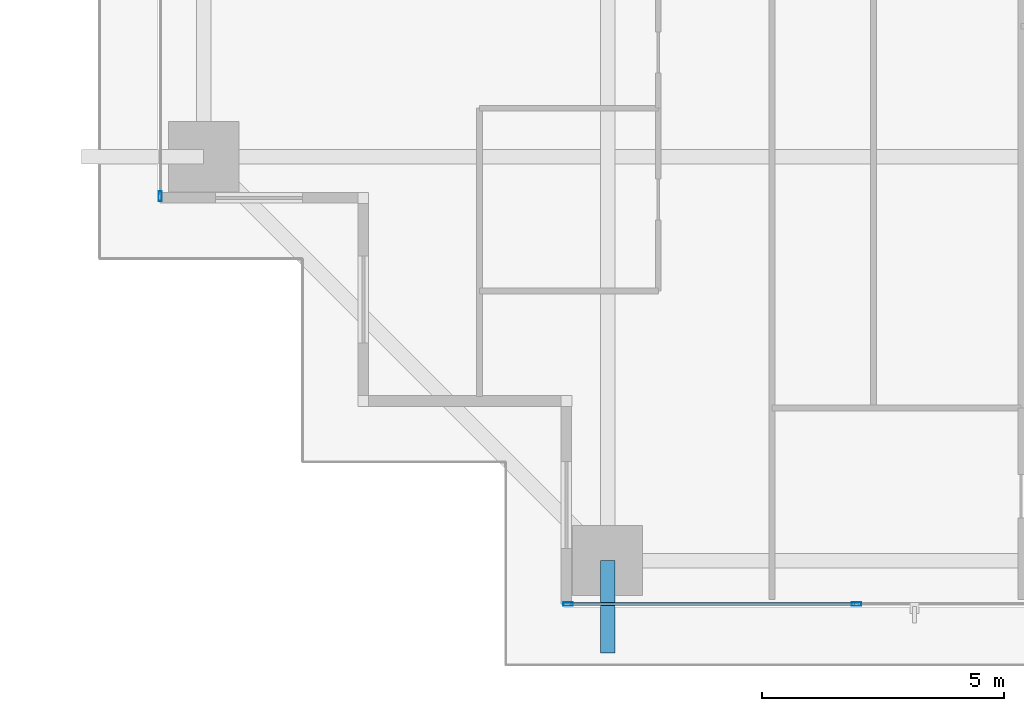
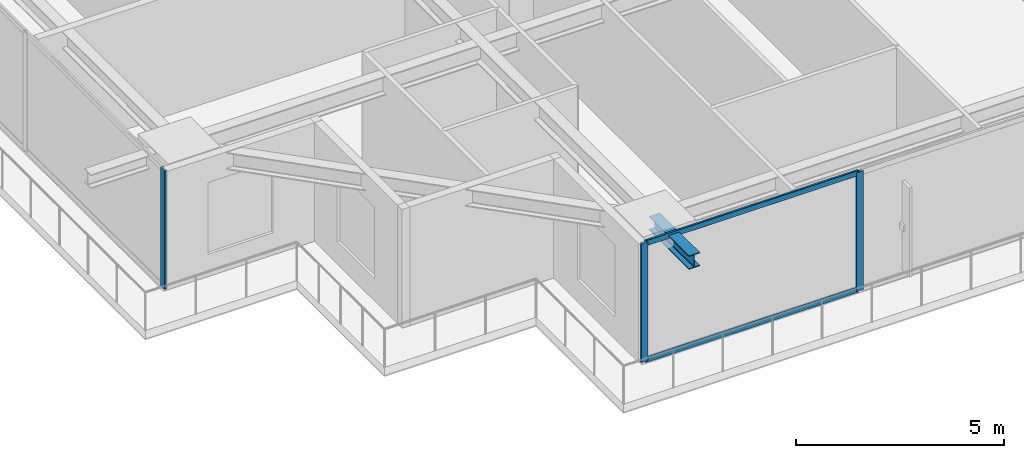
# One storey, part 2 of 39: 5 members, 1 beam, 2 elements without a shape of their own.
"""IFC4 building model written with IfcOpenShell, lengths in metres."""

import ifcopenshell
import ifcopenshell.guid

model = None  # the IFC model being written
_history = None  # IfcOwnerHistory: only IFC2X3 demands one
_inside = {}  # id of a spatial element -> (the spatial element, [elements in it])
_under = {}  # id of a project, library or spatial element -> (it, [spatial elements below it])
_declared = {}  # id of a project -> (the project, [libraries it declares])
_typed = {}  # id of a type object -> (the type object, [elements of that type])
_made_of = {}  # id of a material, layer set ... -> (it, [elements and type objects made of it])


def new_model(schema):
    """Start an empty IFC model of exactly this schema.

    Asked for "IFC4X3", IfcOpenShell would pick the latest addendum, in which some entities
    have other attributes; the version numbers below select the first issue.
    IFC2X3 requires an IfcOwnerHistory on every rooted entity: one is made here for all.
    """
    global model, _history
    if schema == "IFC4X3":
        model = ifcopenshell.file(schema_version=(4, 3, 0, 0))
    else:
        model = ifcopenshell.file(schema=schema)
    _inside.clear()
    _under.clear()
    _declared.clear()
    _typed.clear()
    _made_of.clear()
    _history = None
    if model.schema == "IFC2X3":
        org = make("IfcOrganization", Name="unknown")
        user = make(
            "IfcPersonAndOrganization",
            ThePerson=make("IfcPerson", FamilyName="unknown"),
            TheOrganization=org,
        )
        app = make(
            "IfcApplication",
            ApplicationDeveloper=org,
            Version="unknown",
            ApplicationFullName="unknown",
            ApplicationIdentifier="unknown",
        )
        _history = make(
            "IfcOwnerHistory",
            OwningUser=user,
            OwningApplication=app,
            ChangeAction="ADDED",
            CreationDate=0,
        )
    return model


def make(cls, **values):
    """One entity of the class cls with the attributes given. An attribute that is None is left unset."""
    return model.create_entity(
        cls, **{name: value for name, value in values.items() if value is not None}
    )


def rooted(cls, **values):
    """An entity with a GlobalId (a new one), such as an element, a storey or a relation."""
    return make(cls, GlobalId=ifcopenshell.guid.new(), OwnerHistory=_history, **values)


def si_unit(unit_type, name, prefix=None):
    """IfcSIUnit, for example si_unit("LENGTHUNIT", "METRE", prefix="MILLI")."""
    return make("IfcSIUnit", UnitType=unit_type, Prefix=prefix, Name=name)


def assignment(units):
    """IfcUnitAssignment: the units of a project."""
    return None if units is None else make("IfcUnitAssignment", Units=units)


def point(xyz):
    """IfcCartesianPoint."""
    return None if xyz is None else make("IfcCartesianPoint", Coordinates=xyz)


def direction(xyz):
    """IfcDirection."""
    return None if xyz is None else make("IfcDirection", DirectionRatios=xyz)


def frame(location, z_axis=None, x_axis=None):
    """IfcAxis2Placement3D, a coordinate frame: its origin and axes. An axis left out is left unset."""
    return make(
        "IfcAxis2Placement3D",
        Location=point(location),
        Axis=direction(z_axis),
        RefDirection=direction(x_axis),
    )


def frame_2d(location, x_axis=None):
    """IfcAxis2Placement2D, a coordinate frame in the plane: its origin and x axis."""
    return make(
        "IfcAxis2Placement2D", Location=point(location), RefDirection=direction(x_axis)
    )


def origin():
    """The frame at (0, 0, 0) with its axes left unset."""
    return frame((0.0, 0.0, 0.0))


def origin_2d():
    """The frame at (0, 0) in the plane with its x axis left unset."""
    return frame_2d((0.0, 0.0))


def place(relative_to, where):
    """IfcLocalPlacement: puts the frame where relative to a parent placement (None: the world)."""
    return make(
        "IfcLocalPlacement", PlacementRelTo=relative_to, RelativePlacement=where
    )


def context(
    kind, dimensions, precision=None, world=None, true_north=None, identifier=None
):
    """IfcGeometricRepresentationContext, for example the 3D "Model" context."""
    return make(
        "IfcGeometricRepresentationContext",
        ContextIdentifier=identifier,
        ContextType=kind,
        CoordinateSpaceDimension=dimensions,
        Precision=precision,
        WorldCoordinateSystem=world,
        TrueNorth=true_north,
    )


def subcontext(parent, identifier, kind, view, scale=None):
    """IfcGeometricRepresentationSubContext, for example "Body" below "Model"."""
    return make(
        "IfcGeometricRepresentationSubContext",
        ContextIdentifier=identifier,
        ContextType=kind,
        ParentContext=parent,
        TargetScale=scale,
        TargetView=view,
    )


def project(units=None, contexts=None):
    """IfcProject with its units and contexts."""
    return rooted(
        "IfcProject",
        Name="project",
        RepresentationContexts=contexts,
        UnitsInContext=assignment(units),
    )


def spatial(cls, under=None, at=None, **own):
    """A site, building, storey or space (cls), placed at a placement, below another one or the project."""
    s = rooted(cls, ObjectPlacement=at, **own)
    if under is not None:
        _under.setdefault(under.id(), (under, []))[1].append(s)
    return s


def profile(cls, at=None, kind="AREA", **sizes):
    """A parametric profile (cls). Its sizes go by their IFC names, for example OverallWidth=200.0."""
    return make(cls, ProfileType=kind, Position=at, **sizes)


def hollow_rectangle(**sizes):
    """IfcRectangleHollowProfileDef."""
    return profile("IfcRectangleHollowProfileDef", **sizes)


def i_section(**sizes):
    """IfcIShapeProfileDef."""
    return profile("IfcIShapeProfileDef", **sizes)


def extrude(swept, where, along, depth):
    """IfcExtrudedAreaSolid: the profile swept, set in the frame where, extruded along a direction by depth."""
    return make(
        "IfcExtrudedAreaSolid",
        SweptArea=swept,
        Position=where,
        ExtrudedDirection=direction(along),
        Depth=depth,
    )


def shape(context_of_items, identifier, shape_type, items):
    """IfcShapeRepresentation: the items that make up one representation, for example the "Body"."""
    return make(
        "IfcShapeRepresentation",
        ContextOfItems=context_of_items,
        RepresentationIdentifier=identifier,
        RepresentationType=shape_type,
        Items=items,
    )


def source(mapping_origin, context_of_items, identifier, shape_type, items):
    """IfcRepresentationMap: a shape defined once, which mapped items show again and again."""
    return make(
        "IfcRepresentationMap",
        MappingOrigin=mapping_origin,
        MappedRepresentation=shape(context_of_items, identifier, shape_type, items),
    )


def transform(
    local_origin,
    x_axis=None,
    y_axis=None,
    z_axis=None,
    scale=None,
    scale2=None,
    scale3=None,
    uniform=True,
):
    """IfcCartesianTransformationOperator3D, or its non-uniform kind. x_axis, y_axis, z_axis: its Axis1, 2, 3."""
    if uniform:
        return make(
            "IfcCartesianTransformationOperator3D",
            Axis1=direction(x_axis),
            Axis2=direction(y_axis),
            LocalOrigin=point(local_origin),
            Scale=scale,
            Axis3=direction(z_axis),
        )
    return make(
        "IfcCartesianTransformationOperator3DnonUniform",
        Axis1=direction(x_axis),
        Axis2=direction(y_axis),
        LocalOrigin=point(local_origin),
        Scale=scale,
        Axis3=direction(z_axis),
        Scale2=scale2,
        Scale3=scale3,
    )


def mapped(mapping_source, mapping_target):
    """IfcMappedItem: shows the shape of a source again, moved by a transform."""
    return make(
        "IfcMappedItem", MappingSource=mapping_source, MappingTarget=mapping_target
    )


def material(Name=None, Category=None):
    """IfcMaterial."""
    return make("IfcMaterial", Name=Name, Category=Category)


def layer(
    of_material, thickness, ventilated=None, Name=None, Category=None, Priority=None
):
    """IfcMaterialLayer: one layer of a wall or slab, of a material (None: an air gap)."""
    return make(
        "IfcMaterialLayer",
        Material=of_material,
        LayerThickness=thickness,
        IsVentilated=ventilated,
        Name=Name,
        Category=Category,
        Priority=Priority,
    )


def layer_set(layers, Name=None):
    """IfcMaterialLayerSet."""
    return make("IfcMaterialLayerSet", MaterialLayers=layers, LayerSetName=Name)


def material_profile(
    of_material, cross_section, Name=None, Category=None, Priority=None
):
    """IfcMaterialProfile: a cross section and its material."""
    return make(
        "IfcMaterialProfile",
        Name=Name,
        Material=of_material,
        Profile=cross_section,
        Priority=Priority,
        Category=Category,
    )


def profile_set(profiles, Name=None, composite=None):
    """IfcMaterialProfileSet."""
    return make(
        "IfcMaterialProfileSet",
        Name=Name,
        MaterialProfiles=profiles,
        CompositeProfile=composite,
    )


def made_of(thing, what):
    """Note that an element or type object is made of a material, layer set ...; save() writes the relation."""
    if what is not None:
        _made_of.setdefault(what.id(), (what, []))[1].append(thing)
    return thing


def type_object(cls, material=None, **own):
    """A type object (cls), such as IfcWallType, which elements share."""
    return made_of(rooted(cls, **own), material)


def element(
    cls,
    number,
    at=None,
    inside=None,
    cuts=None,
    type_object=None,
    material=None,
    context=None,
    identifier="Body",
    shape_type=None,
    held_by="IfcProductDefinitionShape",
    body=None,
    shapes=None,
    **own,
):
    """One element of the class cls, such as IfcWall. Its Tag is "e" and its number.

    at: its placement. inside: the storey or other place that contains it. cuts: it is an
    opening in that element (IfcRelVoidsElement). A single representation is given by context,
    identifier, shape_type and body (its items); several are given by shapes. held_by: the class
    of the entity that holds the representations. save() writes the other relations.
    """
    e = rooted(cls, Tag="e%d" % number, ObjectPlacement=at, **own)
    if body is not None:
        shapes = [shape(context, identifier, shape_type, body)]
    if shapes is not None:
        e.Representation = make(held_by, Representations=shapes)
    if inside is not None:
        _inside.setdefault(inside.id(), (inside, []))[1].append(e)
    if cuts is not None:
        rooted(
            "IfcRelVoidsElement", RelatingBuildingElement=cuts, RelatedOpeningElement=e
        )
    if type_object is not None:
        _typed.setdefault(type_object.id(), (type_object, []))[1].append(e)
    return made_of(e, material)


def aggregate(whole, parts):
    """IfcRelAggregates: a whole, such as a stair, and the parts it consists of."""
    return rooted("IfcRelAggregates", RelatingObject=whole, RelatedObjects=parts)


def save(model, path):
    """Write the relations noted so far, then the file.

    IfcRelAggregates (storeys below a building ...), IfcRelContainedInSpatialStructure (elements
    in a storey), IfcRelDefinesByType, IfcRelAssociatesMaterial and IfcRelDeclares: one each for
    every whole, place, type object, material and project.
    """
    for whole, parts in _under.values():
        aggregate(whole, parts)
    for where, things in _inside.values():
        rooted(
            "IfcRelContainedInSpatialStructure",
            RelatedElements=things,
            RelatingStructure=where,
        )
    for kind, things in _typed.values():
        rooted("IfcRelDefinesByType", RelatedObjects=things, RelatingType=kind)
    for what, things in _made_of.values():
        rooted("IfcRelAssociatesMaterial", RelatedObjects=things, RelatingMaterial=what)
    for by, libraries in _declared.values():
        rooted("IfcRelDeclares", RelatingContext=by, RelatedDefinitions=libraries)
    model.write(path)


model = new_model("IFC4")

# Units and contexts
model_context = context("Model", 3, precision=1e-05, world=origin(), true_north=direction((0.0, 1.0)))
body_context = subcontext(model_context, "Body", "Model", "MODEL_VIEW")
ifc_project = project(units=[si_unit("LENGTHUNIT", "METRE"), si_unit("AREAUNIT", "SQUARE_METRE"), si_unit("VOLUMEUNIT", "CUBIC_METRE"), si_unit("PLANEANGLEUNIT", "RADIAN"), si_unit("MASSUNIT", "GRAM", prefix="KILO")], contexts=[model_context])

# Site, building, storey
site_placement = place(None, origin())
site = spatial("IfcSite", under=ifc_project, at=site_placement, CompositionType="ELEMENT")
building_placement = place(site_placement, origin())
building = spatial("IfcBuilding", under=site, at=building_placement, Name="Serunith Strait Residences", CompositionType="ELEMENT")
storey_placement = place(building_placement, frame((0.0, 0.0, 97.949951171875)))
storey = spatial("IfcBuildingStorey", under=building, at=storey_placement, Name="L24", CompositionType="ELEMENT", Elevation=97.949951171875)

# Beam
ifc_material_1 = material(Name="Steel S355J2", Category="steel")
ifc_material_profile_1 = material_profile(ifc_material_1, i_section(OverallWidth=0.300048828125, OverallDepth=0.39990234375, WebThickness=0.013427734375, FlangeThickness=0.02392578125, FilletRadius=0.027099609375, at=origin_2d()), Name="HEB 400")
ifc_profile_set_1 = profile_set([ifc_material_profile_1], Name="Steel S355J2")
beam_type = type_object("IfcBeamType", Name="BM-HEB400", PredefinedType="BEAM", material=ifc_profile_set_1)
shared_shape_1 = source(origin(), body_context, "Body", "SweptSolid", [
    extrude(i_section(OverallWidth=0.300048828125, OverallDepth=0.39990234375, WebThickness=0.013427734375, FlangeThickness=0.02392578125, FilletRadius=0.027099609375, at=origin_2d()), origin(), (0.0, 0.0, 1.0), 1.91015625),
])
beam_placement = place(storey_placement, frame((15.25, 1.10009765625, 3.257080078125), z_axis=(0.0, -1.0, 0.0), x_axis=(1.0, 0.0, 0.0)))
element("IfcBeam", 1, at=beam_placement, inside=storey, type_object=beam_type, Name="L25 Cantilevered Balcony Rib TC-S1", PredefinedType="BEAM", context=body_context, shape_type="MappedRepresentation", body=[
    mapped(shared_shape_1, transform((0.0, 0.0, 0.0), scale=1.0)),
])

# Curtain wall, members
ifc_material_2 = material(Name="Pale-Champagne Anodised Aluminium", Category="aluminium")
ifc_layer = layer(ifc_material_2, 0.199951171875, Name="Pale-Champagne Anodised Aluminium")
ifc_layer_set = layer_set([ifc_layer], Name="Pale-Champagne Anodised Aluminium")
curtain_wall_type = type_object("IfcCurtainWallType", Name="CW-SYS1", PredefinedType="NOTDEFINED", material=ifc_layer_set)
curtain_wall_1_placement = place(storey_placement, origin())
curtain_wall_1 = element("IfcCurtainWall", 2, at=curtain_wall_1_placement, inside=storey, type_object=curtain_wall_type, Name="L24 S Unitised Fritted Curtain Wall", PredefinedType="NOTDEFINED")
ifc_material_profile_2 = material_profile(ifc_material_2, hollow_rectangle(XDim=0.070068359375, YDim=0.199951171875, WallThickness=0.00390625, InnerFilletRadius=0.006103515625, OuterFilletRadius=0.010009765625, at=origin_2d()), Name="ALU 200x70x4")
ifc_profile_set_2 = profile_set([ifc_material_profile_2], Name="Pale-Champagne Anodised Aluminium")
member_type_1 = type_object("IfcMemberType", Name="CW-SYS1-MULL", PredefinedType="MULLION", material=ifc_profile_set_2)
shared_shape_2 = source(origin(), body_context, "Body", "SweptSolid", [
    extrude(hollow_rectangle(XDim=0.070068359375, YDim=0.199951171875, WallThickness=0.00390625, InnerFilletRadius=0.006103515625, OuterFilletRadius=0.010009765625, at=origin_2d()), origin(), (0.0, 0.0, 1.0), 3.47509765625),
])
member_1_placement = place(storey_placement, frame((14.43505859375, 0.199951171875, 0.0), z_axis=(0.0, 0.0, 1.0), x_axis=(0.0, 1.0, 0.0)))
member_1 = element("IfcMember", 3, at=member_1_placement, type_object=member_type_1, Name="CW-1 mullion 1", PredefinedType="MULLION", context=body_context, shape_type="MappedRepresentation", body=[
    mapped(shared_shape_2, transform((0.0, 0.0, 0.0), scale=1.0)),
])
member_2_placement = place(storey_placement, frame((20.39990234375, 0.199951171875, 0.0), z_axis=(0.0, 0.0, 1.0), x_axis=(0.0, 1.0, 0.0)))
member_2 = element("IfcMember", 4, at=member_2_placement, type_object=member_type_1, Name="CW-1 mullion 2", PredefinedType="MULLION", context=body_context, shape_type="MappedRepresentation", body=[
    mapped(shared_shape_2, transform((0.0, 0.0, 0.0), scale=1.0)),
])

# Curtain wall, member
curtain_wall_2_placement = place(storey_placement, origin())
curtain_wall_2 = element("IfcCurtainWall", 5, at=curtain_wall_2_placement, inside=storey, type_object=curtain_wall_type, Name="L24 W Unitised Fritted Curtain Wall", PredefinedType="NOTDEFINED")
member_3_placement = place(storey_placement, frame((6.0, 8.635009765625, 0.0), z_axis=(0.0, 0.0, 1.0), x_axis=(1.0, 0.0, 0.0)))
member_3 = element("IfcMember", 6, at=member_3_placement, type_object=member_type_1, Name="CW-1 mullion 6", PredefinedType="MULLION", context=body_context, shape_type="MappedRepresentation", body=[
    mapped(shared_shape_2, transform((0.0, 0.0, 0.0), scale=1.0)),
])
aggregate(curtain_wall_2, [member_3])

# Member
ifc_material_profile_3 = material_profile(ifc_material_2, hollow_rectangle(XDim=0.06005859375, YDim=0.159912109375, WallThickness=0.00341796875, InnerFilletRadius=0.00537109375, OuterFilletRadius=0.0087890625, at=origin_2d()), Name="ALU 160x60x3.5")
ifc_profile_set_3 = profile_set([ifc_material_profile_3], Name="Pale-Champagne Anodised Aluminium")
member_type_2 = type_object("IfcMemberType", Name="CW-SYS1-TRAN", PredefinedType="USERDEFINED", material=ifc_profile_set_3)
shared_shape_3 = source(origin(), body_context, "Body", "SweptSolid", [
    extrude(hollow_rectangle(XDim=0.06005859375, YDim=0.159912109375, WallThickness=0.00341796875, InnerFilletRadius=0.00537109375, OuterFilletRadius=0.0087890625, at=origin_2d()), origin(), (0.0, 0.0, 1.0), 5.89501953125),
])
member_4_placement = place(storey_placement, frame((14.469970703125, 0.199951171875, 0.030029296875), z_axis=(1.0, 0.0, 0.0), x_axis=(0.0, 1.0, 0.0)))
member_4 = element("IfcMember", 7, at=member_4_placement, type_object=member_type_2, Name="CW-1 transom 1.1", ObjectType="TRANSOM", PredefinedType="USERDEFINED", context=body_context, shape_type="MappedRepresentation", body=[
    mapped(shared_shape_3, transform((0.0, 0.0, 0.0), scale=1.0)),
])

member_5_placement = place(storey_placement, frame((14.469970703125, 0.199951171875, 3.445068359375), z_axis=(1.0, 0.0, 0.0), x_axis=(0.0, 1.0, 0.0)))
member_5 = element("IfcMember", 8, at=member_5_placement, type_object=member_type_2, Name="CW-1 transom 1.2", ObjectType="TRANSOM", PredefinedType="USERDEFINED", context=body_context, shape_type="MappedRepresentation", body=[
    mapped(shared_shape_3, transform((0.0, 0.0, 0.0), scale=1.0)),
])

aggregate(curtain_wall_1, [member_1, member_2, member_4, member_5])

save(model, "model.ifc")
